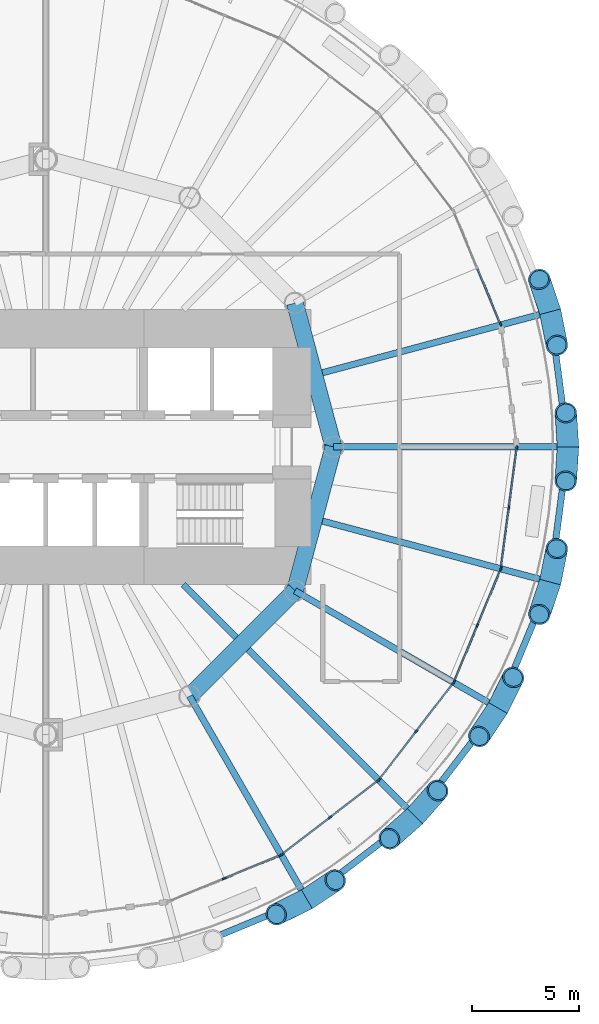
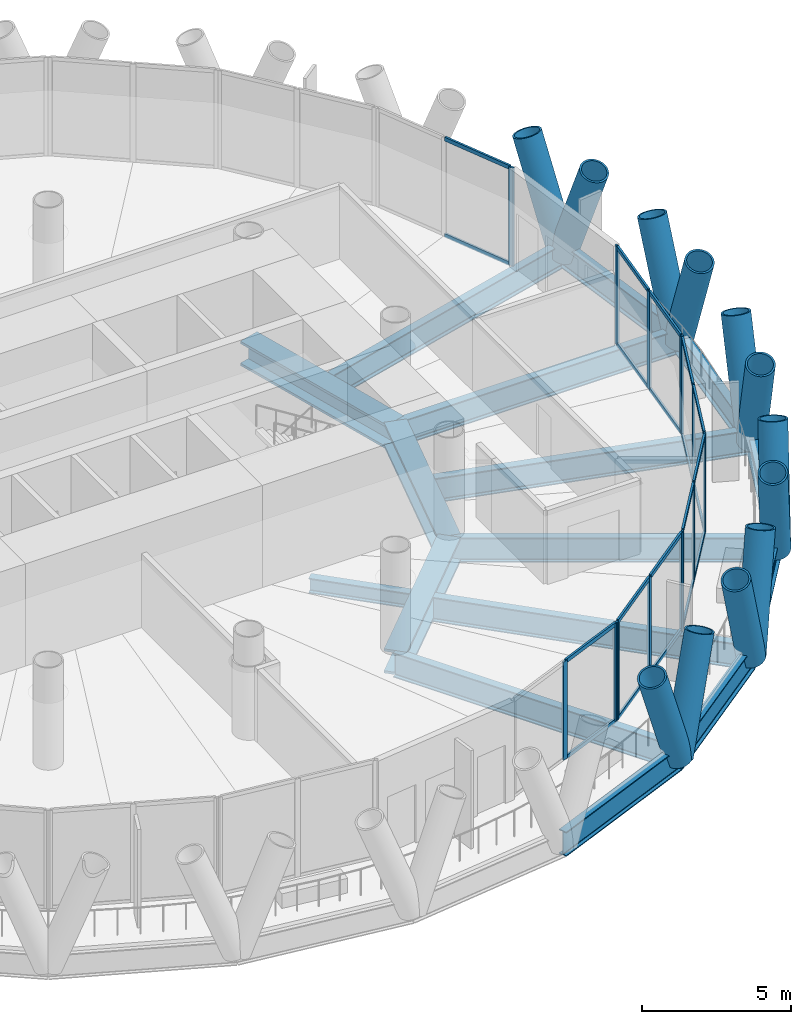
# One storey, part 4 of 15: 47 members, 16 beams, 6 elements without a shape of their own.
"""IFC4 building model written with IfcOpenShell, lengths in metres."""

import ifcopenshell
import ifcopenshell.guid

model = None  # the IFC model being written
_history = None  # IfcOwnerHistory: only IFC2X3 demands one
_inside = {}  # id of a spatial element -> (the spatial element, [elements in it])
_under = {}  # id of a project, library or spatial element -> (it, [spatial elements below it])
_declared = {}  # id of a project -> (the project, [libraries it declares])
_typed = {}  # id of a type object -> (the type object, [elements of that type])
_made_of = {}  # id of a material, layer set ... -> (it, [elements and type objects made of it])


def new_model(schema):
    """Start an empty IFC model of exactly this schema.

    Asked for "IFC4X3", IfcOpenShell would pick the latest addendum, in which some entities
    have other attributes; the version numbers below select the first issue.
    IFC2X3 requires an IfcOwnerHistory on every rooted entity: one is made here for all.
    """
    global model, _history
    if schema == "IFC4X3":
        model = ifcopenshell.file(schema_version=(4, 3, 0, 0))
    else:
        model = ifcopenshell.file(schema=schema)
    _inside.clear()
    _under.clear()
    _declared.clear()
    _typed.clear()
    _made_of.clear()
    _history = None
    if model.schema == "IFC2X3":
        org = make("IfcOrganization", Name="unknown")
        user = make(
            "IfcPersonAndOrganization",
            ThePerson=make("IfcPerson", FamilyName="unknown"),
            TheOrganization=org,
        )
        app = make(
            "IfcApplication",
            ApplicationDeveloper=org,
            Version="unknown",
            ApplicationFullName="unknown",
            ApplicationIdentifier="unknown",
        )
        _history = make(
            "IfcOwnerHistory",
            OwningUser=user,
            OwningApplication=app,
            ChangeAction="ADDED",
            CreationDate=0,
        )
    return model


def make(cls, **values):
    """One entity of the class cls with the attributes given. An attribute that is None is left unset."""
    return model.create_entity(
        cls, **{name: value for name, value in values.items() if value is not None}
    )


def rooted(cls, **values):
    """An entity with a GlobalId (a new one), such as an element, a storey or a relation."""
    return make(cls, GlobalId=ifcopenshell.guid.new(), OwnerHistory=_history, **values)


def si_unit(unit_type, name, prefix=None):
    """IfcSIUnit, for example si_unit("LENGTHUNIT", "METRE", prefix="MILLI")."""
    return make("IfcSIUnit", UnitType=unit_type, Prefix=prefix, Name=name)


def assignment(units):
    """IfcUnitAssignment: the units of a project."""
    return None if units is None else make("IfcUnitAssignment", Units=units)


def point(xyz):
    """IfcCartesianPoint."""
    return None if xyz is None else make("IfcCartesianPoint", Coordinates=xyz)


def direction(xyz):
    """IfcDirection."""
    return None if xyz is None else make("IfcDirection", DirectionRatios=xyz)


def frame(location, z_axis=None, x_axis=None):
    """IfcAxis2Placement3D, a coordinate frame: its origin and axes. An axis left out is left unset."""
    return make(
        "IfcAxis2Placement3D",
        Location=point(location),
        Axis=direction(z_axis),
        RefDirection=direction(x_axis),
    )


def frame_2d(location, x_axis=None):
    """IfcAxis2Placement2D, a coordinate frame in the plane: its origin and x axis."""
    return make(
        "IfcAxis2Placement2D", Location=point(location), RefDirection=direction(x_axis)
    )


def origin():
    """The frame at (0, 0, 0) with its axes left unset."""
    return frame((0.0, 0.0, 0.0))


def origin_2d():
    """The frame at (0, 0) in the plane with its x axis left unset."""
    return frame_2d((0.0, 0.0))


def place(relative_to, where):
    """IfcLocalPlacement: puts the frame where relative to a parent placement (None: the world)."""
    return make(
        "IfcLocalPlacement", PlacementRelTo=relative_to, RelativePlacement=where
    )


def context(
    kind, dimensions, precision=None, world=None, true_north=None, identifier=None
):
    """IfcGeometricRepresentationContext, for example the 3D "Model" context."""
    return make(
        "IfcGeometricRepresentationContext",
        ContextIdentifier=identifier,
        ContextType=kind,
        CoordinateSpaceDimension=dimensions,
        Precision=precision,
        WorldCoordinateSystem=world,
        TrueNorth=true_north,
    )


def subcontext(parent, identifier, kind, view, scale=None):
    """IfcGeometricRepresentationSubContext, for example "Body" below "Model"."""
    return make(
        "IfcGeometricRepresentationSubContext",
        ContextIdentifier=identifier,
        ContextType=kind,
        ParentContext=parent,
        TargetScale=scale,
        TargetView=view,
    )


def project(units=None, contexts=None):
    """IfcProject with its units and contexts."""
    return rooted(
        "IfcProject",
        Name="project",
        RepresentationContexts=contexts,
        UnitsInContext=assignment(units),
    )


def spatial(cls, under=None, at=None, **own):
    """A site, building, storey or space (cls), placed at a placement, below another one or the project."""
    s = rooted(cls, ObjectPlacement=at, **own)
    if under is not None:
        _under.setdefault(under.id(), (under, []))[1].append(s)
    return s


def profile(cls, at=None, kind="AREA", **sizes):
    """A parametric profile (cls). Its sizes go by their IFC names, for example OverallWidth=200.0."""
    return make(cls, ProfileType=kind, Position=at, **sizes)


def rectangle(**sizes):
    """IfcRectangleProfileDef."""
    return profile("IfcRectangleProfileDef", **sizes)


def hollow_circle(**sizes):
    """IfcCircleHollowProfileDef."""
    return profile("IfcCircleHollowProfileDef", **sizes)


def i_section(**sizes):
    """IfcIShapeProfileDef."""
    return profile("IfcIShapeProfileDef", **sizes)


def extrude(swept, where, along, depth):
    """IfcExtrudedAreaSolid: the profile swept, set in the frame where, extruded along a direction by depth."""
    return make(
        "IfcExtrudedAreaSolid",
        SweptArea=swept,
        Position=where,
        ExtrudedDirection=direction(along),
        Depth=depth,
    )


def shape(context_of_items, identifier, shape_type, items):
    """IfcShapeRepresentation: the items that make up one representation, for example the "Body"."""
    return make(
        "IfcShapeRepresentation",
        ContextOfItems=context_of_items,
        RepresentationIdentifier=identifier,
        RepresentationType=shape_type,
        Items=items,
    )


def material(Name=None, Category=None):
    """IfcMaterial."""
    return make("IfcMaterial", Name=Name, Category=Category)


def material_profile(
    of_material, cross_section, Name=None, Category=None, Priority=None
):
    """IfcMaterialProfile: a cross section and its material."""
    return make(
        "IfcMaterialProfile",
        Name=Name,
        Material=of_material,
        Profile=cross_section,
        Priority=Priority,
        Category=Category,
    )


def profile_set(profiles, Name=None, composite=None):
    """IfcMaterialProfileSet."""
    return make(
        "IfcMaterialProfileSet",
        Name=Name,
        MaterialProfiles=profiles,
        CompositeProfile=composite,
    )


def made_of(thing, what):
    """Note that an element or type object is made of a material, layer set ...; save() writes the relation."""
    if what is not None:
        _made_of.setdefault(what.id(), (what, []))[1].append(thing)
    return thing


def type_object(cls, material=None, **own):
    """A type object (cls), such as IfcWallType, which elements share."""
    return made_of(rooted(cls, **own), material)


def element(
    cls,
    number,
    at=None,
    inside=None,
    cuts=None,
    type_object=None,
    material=None,
    context=None,
    identifier="Body",
    shape_type=None,
    held_by="IfcProductDefinitionShape",
    body=None,
    shapes=None,
    **own,
):
    """One element of the class cls, such as IfcWall. Its Tag is "e" and its number.

    at: its placement. inside: the storey or other place that contains it. cuts: it is an
    opening in that element (IfcRelVoidsElement). A single representation is given by context,
    identifier, shape_type and body (its items); several are given by shapes. held_by: the class
    of the entity that holds the representations. save() writes the other relations.
    """
    e = rooted(cls, Tag="e%d" % number, ObjectPlacement=at, **own)
    if body is not None:
        shapes = [shape(context, identifier, shape_type, body)]
    if shapes is not None:
        e.Representation = make(held_by, Representations=shapes)
    if inside is not None:
        _inside.setdefault(inside.id(), (inside, []))[1].append(e)
    if cuts is not None:
        rooted(
            "IfcRelVoidsElement", RelatingBuildingElement=cuts, RelatedOpeningElement=e
        )
    if type_object is not None:
        _typed.setdefault(type_object.id(), (type_object, []))[1].append(e)
    return made_of(e, material)


def aggregate(whole, parts):
    """IfcRelAggregates: a whole, such as a stair, and the parts it consists of."""
    return rooted("IfcRelAggregates", RelatingObject=whole, RelatedObjects=parts)


def save(model, path):
    """Write the relations noted so far, then the file.

    IfcRelAggregates (storeys below a building ...), IfcRelContainedInSpatialStructure (elements
    in a storey), IfcRelDefinesByType, IfcRelAssociatesMaterial and IfcRelDeclares: one each for
    every whole, place, type object, material and project.
    """
    for whole, parts in _under.values():
        aggregate(whole, parts)
    for where, things in _inside.values():
        rooted(
            "IfcRelContainedInSpatialStructure",
            RelatedElements=things,
            RelatingStructure=where,
        )
    for kind, things in _typed.values():
        rooted("IfcRelDefinesByType", RelatedObjects=things, RelatingType=kind)
    for what, things in _made_of.values():
        rooted("IfcRelAssociatesMaterial", RelatedObjects=things, RelatingMaterial=what)
    for by, libraries in _declared.values():
        rooted("IfcRelDeclares", RelatingContext=by, RelatedDefinitions=libraries)
    model.write(path)


model = new_model("IFC4")

# Units and contexts
model_context = context("Model", 3, precision=1e-05, world=origin(), true_north=direction((0.0, 1.0)))
body_context = subcontext(model_context, "Body", "Model", "MODEL_VIEW")
ifc_project = project(units=[si_unit("LENGTHUNIT", "METRE"), si_unit("AREAUNIT", "SQUARE_METRE"), si_unit("VOLUMEUNIT", "CUBIC_METRE"), si_unit("PLANEANGLEUNIT", "RADIAN"), si_unit("MASSUNIT", "GRAM", prefix="KILO")], contexts=[model_context])

# Site, building, storey
site_placement = place(None, origin())
site = spatial("IfcSite", under=ifc_project, at=site_placement, CompositionType="ELEMENT")
building_placement = place(site_placement, origin())
building = spatial("IfcBuilding", under=site, at=building_placement, Name="Qaws Media Tower", CompositionType="ELEMENT")
storey_placement = place(building_placement, frame((0.0, 0.0, 177.199951171875)))
storey = spatial("IfcBuildingStorey", under=building, at=storey_placement, Name="L40", CompositionType="ELEMENT", Elevation=177.199951171875)

# Curtain wall, member
ifc_material_1 = material(Name="Aluminium and clear glass", Category="aluminium")
curtain_wall_type = type_object("IfcCurtainWallType", Name="Unitised curtain wall CW-B", PredefinedType="NOTDEFINED", material=ifc_material_1)
curtain_wall_1_placement = place(storey_placement, origin())
curtain_wall_1 = element("IfcCurtainWall", 1, at=curtain_wall_1_placement, inside=storey, type_object=curtain_wall_type, Name="CWB curtain wall L40-02", PredefinedType="NOTDEFINED")
ifc_material_2 = material(Name="Aluminium mullion", Category="aluminium")
ifc_material_profile_1 = material_profile(ifc_material_2, rectangle(XDim=0.080078125, YDim=0.199951171875, at=origin_2d()), Name="80x200")
ifc_profile_set_1 = profile_set([ifc_material_profile_1], Name="Aluminium mullion")
member_type_1 = type_object("IfcMemberType", Name="Curtain wall mullion 80x200", PredefinedType="MULLION", material=ifc_profile_set_1)
member_1_placement = place(storey_placement, frame((81.33154296875, 55.7568359375, 0.0), z_axis=(0.0, 0.0, 1.0), x_axis=(-0.923879489284, -0.382683536724, 0.0)))
member_1 = element("IfcMember", 2, at=member_1_placement, type_object=member_type_1, Name="CWB mullion 1", PredefinedType="MULLION", context=body_context, shape_type="SweptSolid", body=[
    extrude(rectangle(XDim=0.080078125, YDim=0.199951171875, at=origin_2d()), origin(), (0.0, 0.0, 1.0), 4.0400390625),
])

# Curtain wall, members
curtain_wall_2_placement = place(storey_placement, origin())
curtain_wall_2 = element("IfcCurtainWall", 3, at=curtain_wall_2_placement, inside=storey, type_object=curtain_wall_type, Name="CWB curtain wall L40-20", PredefinedType="NOTDEFINED")
member_2_placement = place(storey_placement, frame((68.385009765625, 29.7568359375, 0.0), z_axis=(0.0, 0.0, 1.0), x_axis=(-0.382683536724, 0.923879489284, 0.0)))
member_2 = element("IfcMember", 4, at=member_2_placement, type_object=member_type_1, Name="CWB mullion 2", PredefinedType="MULLION", context=body_context, shape_type="SweptSolid", body=[
    extrude(rectangle(XDim=0.080078125, YDim=0.199951171875, at=origin_2d()), origin(), (0.0, 0.0, 1.0), 4.0400390625),
])
member_3_placement = place(storey_placement, frame((71.012939453125, 30.845458984375, 0.0), z_axis=(0.0, 0.0, 1.0), x_axis=(-0.382683536724, 0.923879489284, 0.0)))
member_3 = element("IfcMember", 5, at=member_3_placement, type_object=member_type_1, Name="CWB mullion 3", PredefinedType="MULLION", context=body_context, shape_type="SweptSolid", body=[
    extrude(rectangle(XDim=0.080078125, YDim=0.199951171875, at=origin_2d()), origin(), (0.0, 0.0, 1.0), 4.0400390625),
])

curtain_wall_3_placement = place(storey_placement, origin())
curtain_wall_3 = element("IfcCurtainWall", 6, at=curtain_wall_3_placement, inside=storey, type_object=curtain_wall_type, Name="CWB curtain wall L40-21", PredefinedType="NOTDEFINED")
member_4_placement = place(storey_placement, frame((71.081787109375, 30.88525390625, 0.0), z_axis=(0.0, 0.0, 1.0), x_axis=(-0.608761356619, 0.793353395838, 0.0)))
member_4 = element("IfcMember", 7, at=member_4_placement, type_object=member_type_1, Name="CWB mullion 1", PredefinedType="MULLION", context=body_context, shape_type="SweptSolid", body=[
    extrude(rectangle(XDim=0.080078125, YDim=0.199951171875, at=origin_2d()), origin(), (0.0, 0.0, 1.0), 4.0400390625),
])
member_5_placement = place(storey_placement, frame((73.338623046875, 32.616943359375, 0.0), z_axis=(0.0, 0.0, 1.0), x_axis=(-0.608761356619, 0.793353395838, 0.0)))
member_5 = element("IfcMember", 8, at=member_5_placement, type_object=member_type_1, Name="CWB mullion 2", PredefinedType="MULLION", context=body_context, shape_type="SweptSolid", body=[
    extrude(rectangle(XDim=0.080078125, YDim=0.199951171875, at=origin_2d()), origin(), (0.0, 0.0, 1.0), 4.0400390625),
])
member_6_placement = place(storey_placement, frame((75.59521484375, 34.3486328125, 0.0), z_axis=(0.0, 0.0, 1.0), x_axis=(-0.608761356619, 0.793353395838, 0.0)))
member_6 = element("IfcMember", 9, at=member_6_placement, type_object=member_type_1, Name="CWB mullion 3", PredefinedType="MULLION", context=body_context, shape_type="SweptSolid", body=[
    extrude(rectangle(XDim=0.080078125, YDim=0.199951171875, at=origin_2d()), origin(), (0.0, 0.0, 1.0), 4.0400390625),
])

curtain_wall_4_placement = place(storey_placement, origin())
curtain_wall_4 = element("IfcCurtainWall", 10, at=curtain_wall_4_placement, inside=storey, type_object=curtain_wall_type, Name="CWB curtain wall L40-22", PredefinedType="NOTDEFINED")
member_7_placement = place(storey_placement, frame((75.6513671875, 34.40478515625, 0.0), z_axis=(0.0, 0.0, 1.0), x_axis=(-0.793353395838, 0.608761356619, 0.0)))
member_7 = element("IfcMember", 11, at=member_7_placement, type_object=member_type_1, Name="CWB mullion 1", PredefinedType="MULLION", context=body_context, shape_type="SweptSolid", body=[
    extrude(rectangle(XDim=0.080078125, YDim=0.199951171875, at=origin_2d()), origin(), (0.0, 0.0, 1.0), 4.0400390625),
])
member_8_placement = place(storey_placement, frame((77.383056640625, 36.661376953125, 0.0), z_axis=(0.0, 0.0, 1.0), x_axis=(-0.793353395838, 0.608761356619, 0.0)))
member_8 = element("IfcMember", 12, at=member_8_placement, type_object=member_type_1, Name="CWB mullion 2", PredefinedType="MULLION", context=body_context, shape_type="SweptSolid", body=[
    extrude(rectangle(XDim=0.080078125, YDim=0.199951171875, at=origin_2d()), origin(), (0.0, 0.0, 1.0), 4.0400390625),
])
member_9_placement = place(storey_placement, frame((79.11474609375, 38.918212890625, 0.0), z_axis=(0.0, 0.0, 1.0), x_axis=(-0.793353395838, 0.608761356619, 0.0)))
member_9 = element("IfcMember", 13, at=member_9_placement, type_object=member_type_1, Name="CWB mullion 3", PredefinedType="MULLION", context=body_context, shape_type="SweptSolid", body=[
    extrude(rectangle(XDim=0.080078125, YDim=0.199951171875, at=origin_2d()), origin(), (0.0, 0.0, 1.0), 4.0400390625),
])

curtain_wall_5_placement = place(storey_placement, origin())
curtain_wall_5 = element("IfcCurtainWall", 14, at=curtain_wall_5_placement, inside=storey, type_object=curtain_wall_type, Name="CWB curtain wall L40-23", PredefinedType="NOTDEFINED")
member_10_placement = place(storey_placement, frame((79.154541015625, 38.987060546875, 0.0), z_axis=(0.0, 0.0, 1.0), x_axis=(-0.923879489284, 0.382683536724, 0.0)))
member_10 = element("IfcMember", 15, at=member_10_placement, type_object=member_type_1, Name="CWB mullion 1", PredefinedType="MULLION", context=body_context, shape_type="SweptSolid", body=[
    extrude(rectangle(XDim=0.080078125, YDim=0.199951171875, at=origin_2d()), origin(), (0.0, 0.0, 1.0), 4.0400390625),
])
member_11_placement = place(storey_placement, frame((80.2431640625, 41.614990234375, 0.0), z_axis=(0.0, 0.0, 1.0), x_axis=(-0.923879489284, 0.382683536724, 0.0)))
member_11 = element("IfcMember", 16, at=member_11_placement, type_object=member_type_1, Name="CWB mullion 2", PredefinedType="MULLION", context=body_context, shape_type="SweptSolid", body=[
    extrude(rectangle(XDim=0.080078125, YDim=0.199951171875, at=origin_2d()), origin(), (0.0, 0.0, 1.0), 4.0400390625),
])
member_12_placement = place(storey_placement, frame((81.33154296875, 44.2431640625, 0.0), z_axis=(0.0, 0.0, 1.0), x_axis=(-0.923879489284, 0.382683536724, 0.0)))
member_12 = element("IfcMember", 17, at=member_12_placement, type_object=member_type_1, Name="CWB mullion 3", PredefinedType="MULLION", context=body_context, shape_type="SweptSolid", body=[
    extrude(rectangle(XDim=0.080078125, YDim=0.199951171875, at=origin_2d()), origin(), (0.0, 0.0, 1.0), 4.0400390625),
])

curtain_wall_6_placement = place(storey_placement, origin())
curtain_wall_6 = element("IfcCurtainWall", 18, at=curtain_wall_6_placement, inside=storey, type_object=curtain_wall_type, Name="CWB curtain wall L40-24", PredefinedType="NOTDEFINED")
member_13_placement = place(storey_placement, frame((81.352294921875, 44.31982421875, 0.0), z_axis=(0.0, 0.0, 1.0), x_axis=(-0.991444867039, 0.130526149185, 0.0)))
member_13 = element("IfcMember", 19, at=member_13_placement, type_object=member_type_1, Name="CWB mullion 1", PredefinedType="MULLION", context=body_context, shape_type="SweptSolid", body=[
    extrude(rectangle(XDim=0.080078125, YDim=0.199951171875, at=origin_2d()), origin(), (0.0, 0.0, 1.0), 4.0400390625),
])
member_14_placement = place(storey_placement, frame((81.723388671875, 47.14013671875, 0.0), z_axis=(0.0, 0.0, 1.0), x_axis=(-0.991444867039, 0.130526149185, 0.0)))
member_14 = element("IfcMember", 20, at=member_14_placement, type_object=member_type_1, Name="CWB mullion 2", PredefinedType="MULLION", context=body_context, shape_type="SweptSolid", body=[
    extrude(rectangle(XDim=0.080078125, YDim=0.199951171875, at=origin_2d()), origin(), (0.0, 0.0, 1.0), 4.0400390625),
])
member_15_placement = place(storey_placement, frame((82.0947265625, 49.96044921875, 0.0), z_axis=(0.0, 0.0, 1.0), x_axis=(-0.991444867039, 0.130526149185, 0.0)))
member_15 = element("IfcMember", 21, at=member_15_placement, type_object=member_type_1, Name="CWB mullion 3", PredefinedType="MULLION", context=body_context, shape_type="SweptSolid", body=[
    extrude(rectangle(XDim=0.080078125, YDim=0.199951171875, at=origin_2d()), origin(), (0.0, 0.0, 1.0), 4.0400390625),
])

# Member
ifc_material_3 = material(Name="Aluminium transom", Category="aluminium")
ifc_material_profile_2 = material_profile(ifc_material_3, rectangle(XDim=0.080078125, YDim=0.159912109375, at=origin_2d()), Name="80x160")
ifc_profile_set_2 = profile_set([ifc_material_profile_2], Name="Aluminium transom")
member_type_2 = type_object("IfcMemberType", Name="Curtain wall transom 80x160", PredefinedType="USERDEFINED", material=ifc_profile_set_2)
member_16_placement = place(storey_placement, frame((81.31640625, 55.793701171875, 0.0400390625), z_axis=(-0.382720946689, 0.923863992677, 0.0), x_axis=(-0.923863992677, -0.382720946689, 0.0)))
member_16 = element("IfcMember", 22, at=member_16_placement, type_object=member_type_2, Name="CWB transom 1.1", ObjectType="TRANSOM", PredefinedType="USERDEFINED", context=body_context, shape_type="SweptSolid", body=[
    extrude(rectangle(XDim=0.080078125, YDim=0.159912109375, at=origin_2d()), origin(), (0.0, 0.0, 1.0), 2.7646484375),
])

member_17_placement = place(storey_placement, frame((81.31640625, 55.793701171875, 4.0), z_axis=(-0.382720946689, 0.923863992677, 0.0), x_axis=(-0.923863992677, -0.382720946689, 0.0)))
member_17 = element("IfcMember", 23, at=member_17_placement, type_object=member_type_2, Name="CWB transom 1.2", ObjectType="TRANSOM", PredefinedType="USERDEFINED", context=body_context, shape_type="SweptSolid", body=[
    extrude(rectangle(XDim=0.080078125, YDim=0.159912109375, at=origin_2d()), origin(), (0.0, 0.0, 1.0), 2.7646484375),
])

aggregate(curtain_wall_1, [member_1, member_16, member_17])

member_18_placement = place(storey_placement, frame((68.421875, 29.772216796875, 0.0400390625), z_axis=(0.923863992677, 0.382720946689, 0.0), x_axis=(-0.382720946689, 0.923863992677, 0.0)))
member_18 = element("IfcMember", 24, at=member_18_placement, type_object=member_type_2, Name="CWB transom 2.1", ObjectType="TRANSOM", PredefinedType="USERDEFINED", context=body_context, shape_type="SweptSolid", body=[
    extrude(rectangle(XDim=0.080078125, YDim=0.159912109375, at=origin_2d()), origin(), (0.0, 0.0, 1.0), 2.7646484375),
])

member_19_placement = place(storey_placement, frame((68.421875, 29.772216796875, 4.0), z_axis=(0.923863992677, 0.382720946689, 0.0), x_axis=(-0.382720946689, 0.923863992677, 0.0)))
member_19 = element("IfcMember", 25, at=member_19_placement, type_object=member_type_2, Name="CWB transom 2.2", ObjectType="TRANSOM", PredefinedType="USERDEFINED", context=body_context, shape_type="SweptSolid", body=[
    extrude(rectangle(XDim=0.080078125, YDim=0.159912109375, at=origin_2d()), origin(), (0.0, 0.0, 1.0), 2.7646484375),
])

aggregate(curtain_wall_2, [member_2, member_3, member_18, member_19])

member_20_placement = place(storey_placement, frame((71.113525390625, 30.909423828125, 0.0400390625), z_axis=(0.793339081003, 0.608780011624, 0.0), x_axis=(-0.608780011624, 0.793339081003, 0.0)))
member_20 = element("IfcMember", 26, at=member_20_placement, type_object=member_type_2, Name="CWB transom 1.1", ObjectType="TRANSOM", PredefinedType="USERDEFINED", context=body_context, shape_type="SweptSolid", body=[
    extrude(rectangle(XDim=0.080078125, YDim=0.159912109375, at=origin_2d()), origin(), (0.0, 0.0, 1.0), 2.7646484375),
])

member_21_placement = place(storey_placement, frame((71.113525390625, 30.909423828125, 4.0), z_axis=(0.793339081003, 0.608780011624, 0.0), x_axis=(-0.608780011624, 0.793339081003, 0.0)))
member_21 = element("IfcMember", 27, at=member_21_placement, type_object=member_type_2, Name="CWB transom 1.2", ObjectType="TRANSOM", PredefinedType="USERDEFINED", context=body_context, shape_type="SweptSolid", body=[
    extrude(rectangle(XDim=0.080078125, YDim=0.159912109375, at=origin_2d()), origin(), (0.0, 0.0, 1.0), 2.7646484375),
])

member_22_placement = place(storey_placement, frame((73.370361328125, 32.641357421875, 0.0400390625), z_axis=(0.793349003798, 0.608767080394, 0.0), x_axis=(-0.608767080394, 0.793349003798, 0.0)))
member_22 = element("IfcMember", 28, at=member_22_placement, type_object=member_type_2, Name="CWB transom 2.1", ObjectType="TRANSOM", PredefinedType="USERDEFINED", context=body_context, shape_type="SweptSolid", body=[
    extrude(rectangle(XDim=0.080078125, YDim=0.159912109375, at=origin_2d()), origin(), (0.0, 0.0, 1.0), 2.764404296875),
])

member_23_placement = place(storey_placement, frame((73.370361328125, 32.641357421875, 4.0), z_axis=(0.793349003798, 0.608767080394, 0.0), x_axis=(-0.608767080394, 0.793349003798, 0.0)))
member_23 = element("IfcMember", 29, at=member_23_placement, type_object=member_type_2, Name="CWB transom 2.2", ObjectType="TRANSOM", PredefinedType="USERDEFINED", context=body_context, shape_type="SweptSolid", body=[
    extrude(rectangle(XDim=0.080078125, YDim=0.159912109375, at=origin_2d()), origin(), (0.0, 0.0, 1.0), 2.764404296875),
])

aggregate(curtain_wall_3, [member_4, member_5, member_6, member_20, member_21, member_22, member_23])

member_24_placement = place(storey_placement, frame((75.67578125, 34.4365234375, 0.0400390625), z_axis=(0.608767080394, 0.793349003798, 0.0), x_axis=(-0.793349003798, 0.608767080394, 0.0)))
member_24 = element("IfcMember", 30, at=member_24_placement, type_object=member_type_2, Name="CWB transom 1.1", ObjectType="TRANSOM", PredefinedType="USERDEFINED", context=body_context, shape_type="SweptSolid", body=[
    extrude(rectangle(XDim=0.080078125, YDim=0.159912109375, at=origin_2d()), origin(), (0.0, 0.0, 1.0), 2.764404296875),
])

member_25_placement = place(storey_placement, frame((75.67578125, 34.4365234375, 4.0), z_axis=(0.608767080394, 0.793349003798, 0.0), x_axis=(-0.793349003798, 0.608767080394, 0.0)))
member_25 = element("IfcMember", 31, at=member_25_placement, type_object=member_type_2, Name="CWB transom 1.2", ObjectType="TRANSOM", PredefinedType="USERDEFINED", context=body_context, shape_type="SweptSolid", body=[
    extrude(rectangle(XDim=0.080078125, YDim=0.159912109375, at=origin_2d()), origin(), (0.0, 0.0, 1.0), 2.764404296875),
])

member_26_placement = place(storey_placement, frame((77.407470703125, 36.693115234375, 0.0400390625), z_axis=(0.608780011624, 0.793339081003, 0.0), x_axis=(-0.793339081003, 0.608780011624, 0.0)))
member_26 = element("IfcMember", 32, at=member_26_placement, type_object=member_type_2, Name="CWB transom 2.1", ObjectType="TRANSOM", PredefinedType="USERDEFINED", context=body_context, shape_type="SweptSolid", body=[
    extrude(rectangle(XDim=0.080078125, YDim=0.159912109375, at=origin_2d()), origin(), (0.0, 0.0, 1.0), 2.7646484375),
])

member_27_placement = place(storey_placement, frame((77.407470703125, 36.693115234375, 4.0), z_axis=(0.608780011624, 0.793339081003, 0.0), x_axis=(-0.793339081003, 0.608780011624, 0.0)))
member_27 = element("IfcMember", 33, at=member_27_placement, type_object=member_type_2, Name="CWB transom 2.2", ObjectType="TRANSOM", PredefinedType="USERDEFINED", context=body_context, shape_type="SweptSolid", body=[
    extrude(rectangle(XDim=0.080078125, YDim=0.159912109375, at=origin_2d()), origin(), (0.0, 0.0, 1.0), 2.7646484375),
])

aggregate(curtain_wall_4, [member_7, member_8, member_9, member_24, member_25, member_26, member_27])

member_28_placement = place(storey_placement, frame((79.169677734375, 39.02392578125, 0.0400390625), z_axis=(0.382720946689, 0.923863992677, 0.0), x_axis=(-0.923863992677, 0.382720946689, 0.0)))
member_28 = element("IfcMember", 34, at=member_28_placement, type_object=member_type_2, Name="CWB transom 1.1", ObjectType="TRANSOM", PredefinedType="USERDEFINED", context=body_context, shape_type="SweptSolid", body=[
    extrude(rectangle(XDim=0.080078125, YDim=0.159912109375, at=origin_2d()), origin(), (0.0, 0.0, 1.0), 2.7646484375),
])

member_29_placement = place(storey_placement, frame((79.169677734375, 39.02392578125, 4.0), z_axis=(0.382720946689, 0.923863992677, 0.0), x_axis=(-0.923863992677, 0.382720946689, 0.0)))
member_29 = element("IfcMember", 35, at=member_29_placement, type_object=member_type_2, Name="CWB transom 1.2", ObjectType="TRANSOM", PredefinedType="USERDEFINED", context=body_context, shape_type="SweptSolid", body=[
    extrude(rectangle(XDim=0.080078125, YDim=0.159912109375, at=origin_2d()), origin(), (0.0, 0.0, 1.0), 2.7646484375),
])

member_30_placement = place(storey_placement, frame((80.25830078125, 41.652099609375, 0.0400390625), z_axis=(0.382720946689, 0.923863992677, 0.0), x_axis=(-0.923863992677, 0.382720946689, 0.0)))
member_30 = element("IfcMember", 36, at=member_30_placement, type_object=member_type_2, Name="CWB transom 2.1", ObjectType="TRANSOM", PredefinedType="USERDEFINED", context=body_context, shape_type="SweptSolid", body=[
    extrude(rectangle(XDim=0.080078125, YDim=0.159912109375, at=origin_2d()), origin(), (0.0, 0.0, 1.0), 2.7646484375),
])

member_31_placement = place(storey_placement, frame((80.25830078125, 41.652099609375, 4.0), z_axis=(0.382720946689, 0.923863992677, 0.0), x_axis=(-0.923863992677, 0.382720946689, 0.0)))
member_31 = element("IfcMember", 37, at=member_31_placement, type_object=member_type_2, Name="CWB transom 2.2", ObjectType="TRANSOM", PredefinedType="USERDEFINED", context=body_context, shape_type="SweptSolid", body=[
    extrude(rectangle(XDim=0.080078125, YDim=0.159912109375, at=origin_2d()), origin(), (0.0, 0.0, 1.0), 2.7646484375),
])

aggregate(curtain_wall_5, [member_10, member_11, member_12, member_28, member_29, member_30, member_31])

member_32_placement = place(storey_placement, frame((81.357421875, 44.359375, 0.0400390625), z_axis=(0.130520759088, 0.991445576644, 0.0), x_axis=(-0.991445576644, 0.130520759088, 0.0)))
member_32 = element("IfcMember", 38, at=member_32_placement, type_object=member_type_2, Name="CWB transom 1.1", ObjectType="TRANSOM", PredefinedType="USERDEFINED", context=body_context, shape_type="SweptSolid", body=[
    extrude(rectangle(XDim=0.080078125, YDim=0.159912109375, at=origin_2d()), origin(), (0.0, 0.0, 1.0), 2.7646484375),
])

member_33_placement = place(storey_placement, frame((81.357421875, 44.359375, 4.0), z_axis=(0.130520759088, 0.991445576644, 0.0), x_axis=(-0.991445576644, 0.130520759088, 0.0)))
member_33 = element("IfcMember", 39, at=member_33_placement, type_object=member_type_2, Name="CWB transom 1.2", ObjectType="TRANSOM", PredefinedType="USERDEFINED", context=body_context, shape_type="SweptSolid", body=[
    extrude(rectangle(XDim=0.080078125, YDim=0.159912109375, at=origin_2d()), origin(), (0.0, 0.0, 1.0), 2.7646484375),
])

member_34_placement = place(storey_placement, frame((81.728759765625, 47.1796875, 0.0400390625), z_axis=(0.130520759088, 0.991445576644, 0.0), x_axis=(-0.991445576644, 0.130520759088, 0.0)))
member_34 = element("IfcMember", 40, at=member_34_placement, type_object=member_type_2, Name="CWB transom 2.1", ObjectType="TRANSOM", PredefinedType="USERDEFINED", context=body_context, shape_type="SweptSolid", body=[
    extrude(rectangle(XDim=0.080078125, YDim=0.159912109375, at=origin_2d()), origin(), (0.0, 0.0, 1.0), 2.7646484375),
])

member_35_placement = place(storey_placement, frame((81.728759765625, 47.1796875, 4.0), z_axis=(0.130520759088, 0.991445576644, 0.0), x_axis=(-0.991445576644, 0.130520759088, 0.0)))
member_35 = element("IfcMember", 41, at=member_35_placement, type_object=member_type_2, Name="CWB transom 2.2", ObjectType="TRANSOM", PredefinedType="USERDEFINED", context=body_context, shape_type="SweptSolid", body=[
    extrude(rectangle(XDim=0.080078125, YDim=0.159912109375, at=origin_2d()), origin(), (0.0, 0.0, 1.0), 2.7646484375),
])

aggregate(curtain_wall_6, [member_13, member_14, member_15, member_32, member_33, member_34, member_35])

# Members
ifc_material_4 = material(Name="Steel S460", Category="steel")
ifc_material_profile_3 = material_profile(ifc_material_4, hollow_circle(Radius=0.508056640625, WallThickness=0.070068359375, at=origin_2d()), Name="CHS 1016x70")
ifc_profile_set_3 = profile_set([ifc_material_profile_3], Name="Steel S460")
member_type_3 = type_object("IfcMemberType", Name="Diagrid member CHS 1016x70", PredefinedType="USERDEFINED", material=ifc_profile_set_3)
for number, where, z_axis, x_axis, name in (
    (42, (84.5, 50.0, -0.6640625), (-0.022755087653, 0.355717957348, 0.934316295912), (-0.997960211853, -0.063838981491, 0.0), "DG3 diagrid L40 A01"),
    (43, (84.5, 50.0, -0.6640625), (-0.022755087653, -0.355717957348, 0.934316295912), (0.997960211853, -0.063838981491, 0.0), "DG3 diagrid L40 B01"),
    (44, (83.665283203125, 56.341064453125, -0.6640625), (-0.114101343313, 0.33768784042, 0.93431675886), (-0.947380274434, -0.320110317881, 0.0), "DG3 diagrid L40 A02"),
    (45, (83.665283203125, 56.341064453125, -0.6640625), (0.070057919061, -0.349474968341, 0.934322821342), (0.98049267216, 0.196555640573, 0.0), "DG3 diagrid L40 B02"),
):
    element("IfcMember", number, at=place(storey_placement, frame(where, z_axis=z_axis, x_axis=x_axis)), inside=storey, type_object=member_type_3, Name=name, ObjectType="DIAGRID", PredefinedType="USERDEFINED", context=body_context, shape_type="SweptSolid", body=[
        extrude(hollow_circle(Radius=0.508056640625, WallThickness=0.070068359375, at=origin_2d()), origin(), (0.0, 0.0, 1.0), 4.495361328125),
    ])
member_36_placement = place(storey_placement, frame((72.25, 28.782470703125, -0.6640625), z_axis=(0.296684477333, 0.197572419648, 0.934314433103), x_axis=(-0.554278210596, 0.832331463576, 0.0)))
element("IfcMember", 46, at=member_36_placement, inside=storey, type_object=member_type_3, Name="DG3 diagrid L40 A21", ObjectType="DIAGRID", PredefinedType="USERDEFINED", context=body_context, shape_type="SweptSolid", body=[
    extrude(hollow_circle(Radius=0.508056640625, WallThickness=0.070068359375, at=origin_2d()), origin(), (0.0, 0.0, 1.0), 4.49560546875),
])
for number, where, z_axis, x_axis, name in (
    (47, (72.25, 28.782470703125, -0.6640625), (-0.319440341639, -0.158145235439, 0.934316837396), (0.44367532717, -0.896187594235, 0.0), "DG3 diagrid L40 B21"),
    (48, (77.32421875, 32.67578125, -0.6640625), (0.235425775232, 0.267630500655, 0.934317194252), (-0.750837426226, 0.660487062234, 0.0), "DG3 diagrid L40 A22"),
    (49, (77.32421875, 32.67578125, -0.6640625), (-0.267630500655, -0.235425775232, 0.934317194252), (0.660487062234, -0.750837426226, 0.0), "DG3 diagrid L40 B22"),
    (50, (81.217529296875, 37.75, -0.6640625), (0.158145235439, 0.319440341639, 0.934316837396), (-0.896187594235, 0.44367532717, 0.0), "DG3 diagrid L40 A23"),
):
    element("IfcMember", number, at=place(storey_placement, frame(where, z_axis=z_axis, x_axis=x_axis)), inside=storey, type_object=member_type_3, Name=name, ObjectType="DIAGRID", PredefinedType="USERDEFINED", context=body_context, shape_type="SweptSolid", body=[
        extrude(hollow_circle(Radius=0.508056640625, WallThickness=0.070068359375, at=origin_2d()), origin(), (0.0, 0.0, 1.0), 4.495361328125),
    ])
member_37_placement = place(storey_placement, frame((81.217529296875, 37.75, -0.6640625), z_axis=(-0.197572419648, -0.296684477333, 0.934314433103), x_axis=(0.832331463576, -0.554278210596, 0.0)))
element("IfcMember", 51, at=member_37_placement, inside=storey, type_object=member_type_3, Name="DG3 diagrid L40 B23", ObjectType="DIAGRID", PredefinedType="USERDEFINED", context=body_context, shape_type="SweptSolid", body=[
    extrude(hollow_circle(Radius=0.508056640625, WallThickness=0.070068359375, at=origin_2d()), origin(), (0.0, 0.0, 1.0), 4.49560546875),
])
for number, where, z_axis, x_axis, name in (
    (52, (83.665283203125, 43.658935546875, -0.6640625), (0.070057919061, 0.349474968341, 0.934322821342), (-0.98049267216, 0.196555640573, 0.0), "DG3 diagrid L40 A24"),
    (53, (83.665283203125, 43.658935546875, -0.6640625), (-0.114101343313, -0.33768784042, 0.93431675886), (0.947380274434, -0.320110317881, 0.0), "DG3 diagrid L40 B24"),
):
    element("IfcMember", number, at=place(storey_placement, frame(where, z_axis=z_axis, x_axis=x_axis)), inside=storey, type_object=member_type_3, Name=name, ObjectType="DIAGRID", PredefinedType="USERDEFINED", context=body_context, shape_type="SweptSolid", body=[
        extrude(hollow_circle(Radius=0.508056640625, WallThickness=0.070068359375, at=origin_2d()), origin(), (0.0, 0.0, 1.0), 4.495361328125),
    ])

# Beams
ifc_material_5 = material(Name="Steel S460", Category="steel")
ifc_material_profile_4 = material_profile(ifc_material_5, i_section(OverallWidth=0.302001953125, OverallDepth=1.008056640625, WebThickness=0.02099609375, FlangeThickness=0.0400390625, FilletRadius=0.030029296875, at=origin_2d()), Name="HE 1000 M")
ifc_profile_set_4 = profile_set([ifc_material_profile_4], Name="Steel S460")
beam_type_1 = type_object("IfcBeamType", Name="Edge ring beam HE 1000 M", PredefinedType="BEAM", material=ifc_profile_set_4)
for number, where, z_axis, x_axis, name in (
    (54, (84.5, 50.0, -0.6640625), (-0.130510796237, 0.991446888172, 0.0), (-0.991446888172, -0.130510796237, 0.0), "RB3 edge ring beam L40-01"),
    (55, (66.341064453125, 26.334716796875, -0.6640625), (0.923868882006, 0.382709143949, 0.0), (-0.382709143949, 0.923868882006, 0.0), "RB3 edge ring beam L40-20"),
    (56, (72.25, 28.782470703125, -0.6640625), (0.79337406388, 0.60873442055, 0.0), (-0.60873442055, 0.79337406388, 0.0), "RB3 edge ring beam L40-21"),
    (57, (77.32421875, 32.67578125, -0.6640625), (0.60873442055, 0.79337406388, 0.0), (-0.79337406388, 0.60873442055, 0.0), "RB3 edge ring beam L40-22"),
    (58, (81.217529296875, 37.75, -0.6640625), (0.382709143949, 0.923868882006, 0.0), (-0.923868882006, 0.382709143949, 0.0), "RB3 edge ring beam L40-23"),
    (59, (83.665283203125, 43.658935546875, -0.6640625), (0.130510796237, 0.991446888172, 0.0), (-0.991446888172, 0.130510796237, 0.0), "RB3 edge ring beam L40-24"),
):
    element("IfcBeam", number, at=place(storey_placement, frame(where, z_axis=z_axis, x_axis=x_axis)), inside=storey, type_object=beam_type_1, Name=name, PredefinedType="BEAM", context=body_context, shape_type="SweptSolid", body=[
        extrude(i_section(OverallWidth=0.302001953125, OverallDepth=1.008056640625, WebThickness=0.02099609375, FlangeThickness=0.0400390625, FilletRadius=0.030029296875, at=origin_2d()), origin(), (0.0, 0.0, 1.0), 6.395751953125),
    ])
ifc_material_6 = material(Name="Steel S460", Category="steel")
ifc_material_profile_5 = material_profile(ifc_material_6, i_section(OverallWidth=0.800048828125, OverallDepth=1.0, WebThickness=0.0400390625, FlangeThickness=0.10009765625, at=origin_2d()), Name="PG 1000x800")
ifc_profile_set_5 = profile_set([ifc_material_profile_5], Name="Steel S460")
beam_type_2 = type_object("IfcBeamType", Name="Inner ring girder PG 1000x800", PredefinedType="BEAM", material=ifc_profile_set_5)
beam_1_placement = place(storey_placement, frame((73.5, 50.0, -0.659912109375), z_axis=(-0.258810593767, 0.965928090778, 0.0), x_axis=(-0.965928090778, -0.258810593767, 0.0)))
element("IfcBeam", 60, at=beam_1_placement, inside=storey, type_object=beam_type_2, Name="B3 inner ring beam L40 I01-I02", PredefinedType="BEAM", context=body_context, shape_type="SweptSolid", body=[
    extrude(i_section(OverallWidth=0.800048828125, OverallDepth=1.0, WebThickness=0.0400390625, FlangeThickness=0.10009765625, at=origin_2d()), origin(), (0.0, 0.0, 1.0), 6.988037109375),
])
beam_2_placement = place(storey_placement, frame((66.75, 38.30859375, -0.659912109375), z_axis=(0.707106781187, 0.707106781187, 0.0), x_axis=(-0.707106781187, 0.707106781187, 0.0)))
element("IfcBeam", 61, at=beam_2_placement, inside=storey, type_object=beam_type_2, Name="B3 inner ring beam L40 I11-I12", PredefinedType="BEAM", context=body_context, shape_type="SweptSolid", body=[
    extrude(i_section(OverallWidth=0.800048828125, OverallDepth=1.0, WebThickness=0.0400390625, FlangeThickness=0.10009765625, at=origin_2d()), origin(), (0.0, 0.0, 1.0), 6.98828125),
])
beam_3_placement = place(storey_placement, frame((71.69140625, 43.25, -0.659912109375), z_axis=(0.258810593767, 0.965928090778, 0.0), x_axis=(-0.965928090778, 0.258810593767, 0.0)))
element("IfcBeam", 62, at=beam_3_placement, inside=storey, type_object=beam_type_2, Name="B3 inner ring beam L40 I12-I01", PredefinedType="BEAM", context=body_context, shape_type="SweptSolid", body=[
    extrude(i_section(OverallWidth=0.800048828125, OverallDepth=1.0, WebThickness=0.0400390625, FlangeThickness=0.10009765625, at=origin_2d()), origin(), (0.0, 0.0, 1.0), 6.988037109375),
])
ifc_material_7 = material(Name="Steel S355", Category="steel")
ifc_material_profile_6 = material_profile(ifc_material_7, i_section(OverallWidth=0.302001953125, OverallDepth=1.008056640625, WebThickness=0.02099609375, FlangeThickness=0.0400390625, FilletRadius=0.030029296875, at=origin_2d()), Name="HE 1000 M")
ifc_profile_set_6 = profile_set([ifc_material_profile_6], Name="Steel S355")
beam_type_3 = type_object("IfcBeamType", Name="Radial beam HE 1000 M", PredefinedType="BEAM", material=ifc_profile_set_6)
beam_4_placement = place(storey_placement, frame((73.5, 50.0, -0.6640625), z_axis=(1.0, 0.0, 0.0), x_axis=(0.0, 1.0, 0.0)))
element("IfcBeam", 63, at=beam_4_placement, inside=storey, type_object=beam_type_3, Name="B1 radial beam L40 01", PredefinedType="BEAM", context=body_context, shape_type="SweptSolid", body=[
    extrude(i_section(OverallWidth=0.302001953125, OverallDepth=1.008056640625, WebThickness=0.02099609375, FlangeThickness=0.0400390625, FilletRadius=0.030029296875, at=origin_2d()), origin(), (0.0, 0.0, 1.0), 11.0),
])
beam_5_placement = place(storey_placement, frame((72.98193359375, 53.478515625, -0.6640625), z_axis=(0.965926867676, 0.258815158562, 0.0), x_axis=(-0.258815158562, 0.965926867676, 0.0)))
element("IfcBeam", 64, at=beam_5_placement, inside=storey, type_object=beam_type_3, Name="B1 radial beam L40 02", PredefinedType="BEAM", context=body_context, shape_type="SweptSolid", body=[
    extrude(i_section(OverallWidth=0.302001953125, OverallDepth=1.008056640625, WebThickness=0.02099609375, FlangeThickness=0.0400390625, FilletRadius=0.030029296875, at=origin_2d()), origin(), (0.0, 0.0, 1.0), 11.060302734375),
])
beam_6_placement = place(storey_placement, frame((66.75, 38.30859375, -0.6640625), z_axis=(0.50000615651, -0.866021849293, 0.0), x_axis=(0.866021849293, 0.50000615651, 0.0)))
element("IfcBeam", 65, at=beam_6_placement, inside=storey, type_object=beam_type_3, Name="B1 radial beam L40 21", PredefinedType="BEAM", context=body_context, shape_type="SweptSolid", body=[
    extrude(i_section(OverallWidth=0.302001953125, OverallDepth=1.008056640625, WebThickness=0.02099609375, FlangeThickness=0.0400390625, FilletRadius=0.030029296875, at=origin_2d()), origin(), (0.0, 0.0, 1.0), 10.999755859375),
])
beam_7_placement = place(storey_placement, frame((69.50341796875, 40.49658203125, -0.6640625), z_axis=(0.707106781187, -0.707106781187, 0.0), x_axis=(0.707106781187, 0.707106781187, 0.0)))
element("IfcBeam", 66, at=beam_7_placement, inside=storey, type_object=beam_type_3, Name="B1 radial beam L40 22", PredefinedType="BEAM", context=body_context, shape_type="SweptSolid", body=[
    extrude(i_section(OverallWidth=0.302001953125, OverallDepth=1.008056640625, WebThickness=0.02099609375, FlangeThickness=0.0400390625, FilletRadius=0.030029296875, at=origin_2d()), origin(), (0.0, 0.0, 1.0), 11.060302734375),
])
beam_8_placement = place(storey_placement, frame((71.69140625, 43.25, -0.6640625), z_axis=(0.866021849293, -0.50000615651, 0.0), x_axis=(0.50000615651, 0.866021849293, 0.0)))
element("IfcBeam", 67, at=beam_8_placement, inside=storey, type_object=beam_type_3, Name="B1 radial beam L40 23", PredefinedType="BEAM", context=body_context, shape_type="SweptSolid", body=[
    extrude(i_section(OverallWidth=0.302001953125, OverallDepth=1.008056640625, WebThickness=0.02099609375, FlangeThickness=0.0400390625, FilletRadius=0.030029296875, at=origin_2d()), origin(), (0.0, 0.0, 1.0), 10.999755859375),
])
beam_9_placement = place(storey_placement, frame((72.98193359375, 46.521484375, -0.6640625), z_axis=(0.965926867676, -0.258815158562, 0.0), x_axis=(0.258815158562, 0.965926867676, 0.0)))
element("IfcBeam", 68, at=beam_9_placement, inside=storey, type_object=beam_type_3, Name="B1 radial beam L40 24", PredefinedType="BEAM", context=body_context, shape_type="SweptSolid", body=[
    extrude(i_section(OverallWidth=0.302001953125, OverallDepth=1.008056640625, WebThickness=0.02099609375, FlangeThickness=0.0400390625, FilletRadius=0.030029296875, at=origin_2d()), origin(), (0.0, 0.0, 1.0), 11.060302734375),
])
ifc_material_8 = material(Name="Steel S355", Category="steel")
ifc_material_profile_7 = material_profile(ifc_material_8, i_section(OverallWidth=0.304931640625, OverallDepth=0.6201171875, WebThickness=0.02099609375, FlangeThickness=0.0400390625, FilletRadius=0.027099609375, at=origin_2d()), Name="HE 600 M")
ifc_profile_set_7 = profile_set([ifc_material_profile_7], Name="Steel S355")
beam_type_4 = type_object("IfcBeamType", Name="Radial beam HE 600 M, core side", PredefinedType="BEAM", material=ifc_profile_set_7)
beam_10_placement = place(storey_placement, frame((66.449951171875, 43.550048828125, -0.469970703125), z_axis=(0.707106781187, -0.707106781187, 0.0), x_axis=(0.707106781187, 0.707106781187, 0.0)))
element("IfcBeam", 69, at=beam_10_placement, inside=storey, type_object=beam_type_4, Name="B2 radial beam L40 22", PredefinedType="BEAM", context=body_context, shape_type="SweptSolid", body=[
    extrude(i_section(OverallWidth=0.304931640625, OverallDepth=0.6201171875, WebThickness=0.02099609375, FlangeThickness=0.0400390625, FilletRadius=0.027099609375, at=origin_2d()), origin(), (0.0, 0.0, 1.0), 3.518310546875),
])

save(model, "model.ifc")
